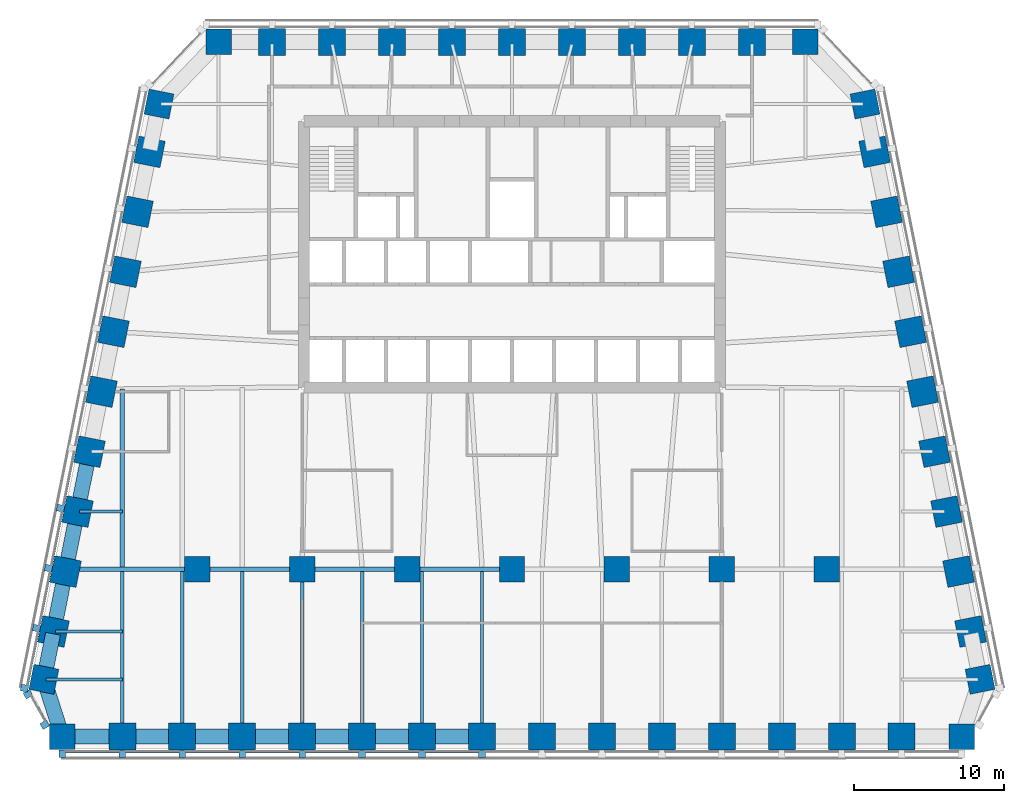
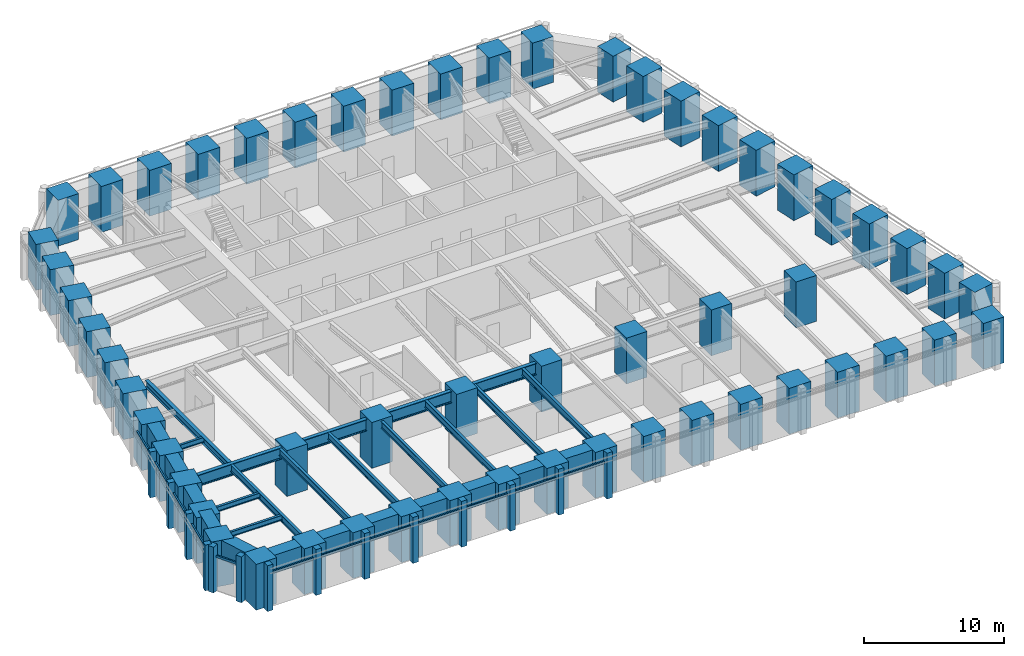
# One storey, part 1 of 9: 56 columns, 27 beams, 26 members, 3 elements without a shape of their own.
"""IFC4 building model written with IfcOpenShell, lengths in metres."""

from ifc_helpers import new_model, si_unit, direction, frame, origin, origin_2d, place, context, subcontext, project, spatial, rectangle, i_section, extrude, material, material_profile, profile_set, type_object, element, aggregate, save


model = new_model("IFC4")

# Units and contexts
model_context = context("Model", 3, precision=1e-05, world=origin(), true_north=direction((0.0, 1.0)))
body_context = subcontext(model_context, "Body", "Model", "MODEL_VIEW")
ifc_project = project(units=[si_unit("LENGTHUNIT", "METRE"), si_unit("AREAUNIT", "SQUARE_METRE"), si_unit("VOLUMEUNIT", "CUBIC_METRE"), si_unit("PLANEANGLEUNIT", "RADIAN"), si_unit("MASSUNIT", "GRAM", prefix="KILO")], contexts=[model_context])

# Site, building, storey
site_placement = place(None, origin())
site = spatial("IfcSite", under=ifc_project, at=site_placement, CompositionType="ELEMENT")
building_placement = place(site_placement, origin())
building = spatial("IfcBuilding", under=site, at=building_placement, Name="Isbrekke Arena Tower", CompositionType="ELEMENT")
storey_placement = place(building_placement, frame((0.0, 0.0, 135.0)))
storey = spatial("IfcBuildingStorey", under=building, at=storey_placement, Name="L30", CompositionType="ELEMENT", Elevation=135.0)

# Columns
ifc_material_1 = material(Name="Concrete B80 (C80/95)", Category="concrete")
ifc_material_profile_1 = material_profile(ifc_material_1, rectangle(XDim=1.699951171875, YDim=1.699951171875, at=origin_2d()), Name="RC 1700x1700")
ifc_profile_set_1 = profile_set([ifc_material_profile_1], Name="Concrete B80 (C80/95)")
column_type_1 = type_object("IfcColumnType", Name="C12 RC 1700 x 1700", PredefinedType="COLUMN", material=ifc_profile_set_1)
for number, where, z_axis, x_axis, name in (
    (1, (-21.0, -6.0, 0.0), (0.0, 0.0, 1.0), (1.0, 0.0, 0.0), "C12 I01"),
    (2, (-14.0, -6.0, 0.0), (0.0, 0.0, 1.0), (1.0, 0.0, 0.0), "C12 I02"),
    (3, (-7.0, -6.0, 0.0), (0.0, 0.0, 1.0), (1.0, 0.0, 0.0), "C12 I03"),
    (4, (0.0, -6.0, 0.0), (0.0, 0.0, 1.0), (1.0, 0.0, 0.0), "C12 I04"),
    (5, (7.0, -6.0, 0.0), (0.0, 0.0, 1.0), (1.0, 0.0, 0.0), "C12 I05"),
    (6, (14.0, -6.0, 0.0), (0.0, 0.0, 1.0), (1.0, 0.0, 0.0), "C12 I06"),
    (7, (21.0, -6.0, 0.0), (0.0, 0.0, 1.0), (1.0, 0.0, 0.0), "C12 I07"),
):
    element("IfcColumn", number, at=place(storey_placement, frame(where, z_axis=z_axis, x_axis=x_axis)), inside=storey, type_object=column_type_1, Name=name, PredefinedType="COLUMN", context=body_context, shape_type="SweptSolid", body=[
        extrude(rectangle(XDim=1.699951171875, YDim=1.699951171875, at=origin_2d()), origin(), (0.0, 0.0, 1.0), 4.0),
    ])
ifc_material_2 = material(Name="Concrete B80 (C80/95)", Category="concrete")
ifc_material_profile_2 = material_profile(ifc_material_2, rectangle(XDim=1.800048828125, YDim=1.800048828125, at=origin_2d()), Name="RC 1800x1800")
ifc_profile_set_2 = profile_set([ifc_material_profile_2], Name="Concrete B80 (C80/95)")
column_type_2 = type_object("IfcColumnType", Name="C3 RC 1800 x 1800", PredefinedType="COLUMN", material=ifc_profile_set_2)
for number, where, z_axis, x_axis, name in (
    (8, (-26.0, -17.175048828125, 0.0), (0.0, 0.0, 1.0), (1.0, 0.0, 0.0), "C3 S02"),
    (9, (-22.0, -17.175048828125, 0.0), (0.0, 0.0, 1.0), (1.0, 0.0, 0.0), "C3 S03"),
    (10, (-18.0, -17.175048828125, 0.0), (0.0, 0.0, 1.0), (1.0, 0.0, 0.0), "C3 S04"),
    (11, (-14.0, -17.175048828125, 0.0), (0.0, 0.0, 1.0), (1.0, 0.0, 0.0), "C3 S05"),
    (12, (-10.0, -17.175048828125, 0.0), (0.0, 0.0, 1.0), (1.0, 0.0, 0.0), "C3 S06"),
    (13, (-6.0, -17.175048828125, 0.0), (0.0, 0.0, 1.0), (1.0, 0.0, 0.0), "C3 S07"),
    (14, (-2.0, -17.175048828125, 0.0), (0.0, 0.0, 1.0), (1.0, 0.0, 0.0), "C3 S08"),
    (15, (2.0, -17.175048828125, 0.0), (0.0, 0.0, 1.0), (1.0, 0.0, 0.0), "C3 S09"),
    (16, (6.0, -17.175048828125, 0.0), (0.0, 0.0, 1.0), (1.0, 0.0, 0.0), "C3 S10"),
    (17, (10.0, -17.175048828125, 0.0), (0.0, 0.0, 1.0), (1.0, 0.0, 0.0), "C3 S11"),
    (18, (14.0, -17.175048828125, 0.0), (0.0, 0.0, 1.0), (1.0, 0.0, 0.0), "C3 S12"),
    (19, (18.0, -17.175048828125, 0.0), (0.0, 0.0, 1.0), (1.0, 0.0, 0.0), "C3 S13"),
    (20, (22.0, -17.175048828125, 0.0), (0.0, 0.0, 1.0), (1.0, 0.0, 0.0), "C3 S14"),
    (21, (26.0, -17.175048828125, 0.0), (0.0, 0.0, 1.0), (1.0, 0.0, 0.0), "C3 S15"),
    (22, (30.591064453125, -10.161865234375, 0.0), (0.0, 0.0, 1.0), (-0.196116135138, 0.980580675691, 0.0), "C3 E02"),
    (23, (29.791015625, -6.161865234375, 0.0), (0.0, 0.0, 1.0), (-0.196116135138, 0.980580675691, 0.0), "C3 E03"),
    (24, (28.990966796875, -2.161865234375, 0.0), (0.0, 0.0, 1.0), (-0.196116135138, 0.980580675691, 0.0), "C3 E04"),
    (25, (28.19091796875, 1.838134765625, 0.0), (0.0, 0.0, 1.0), (-0.196116135138, 0.980580675691, 0.0), "C3 E05"),
    (26, (27.39111328125, 5.838134765625, 0.0), (0.0, 0.0, 1.0), (-0.196116135138, 0.980580675691, 0.0), "C3 E06"),
    (27, (26.591064453125, 9.838134765625, 0.0), (0.0, 0.0, 1.0), (-0.196116135138, 0.980580675691, 0.0), "C3 E07"),
    (28, (25.791015625, 13.838134765625, 0.0), (0.0, 0.0, 1.0), (-0.196116135138, 0.980580675691, 0.0), "C3 E08"),
    (29, (24.990966796875, 17.838134765625, 0.0), (0.0, 0.0, 1.0), (-0.196116135138, 0.980580675691, 0.0), "C3 E09"),
    (30, (24.19091796875, 21.838134765625, 0.0), (0.0, 0.0, 1.0), (-0.196116135138, 0.980580675691, 0.0), "C3 E10"),
    (31, (16.0, 29.175048828125, 0.0), (0.0, 0.0, 1.0), (-1.0, 0.0, 0.0), "C3 N02"),
    (32, (12.0, 29.175048828125, 0.0), (0.0, 0.0, 1.0), (-1.0, 0.0, 0.0), "C3 N03"),
    (33, (8.0, 29.175048828125, 0.0), (0.0, 0.0, 1.0), (-1.0, 0.0, 0.0), "C3 N04"),
    (34, (4.0, 29.175048828125, 0.0), (0.0, 0.0, 1.0), (-1.0, 0.0, 0.0), "C3 N05"),
    (35, (0.0, 29.175048828125, 0.0), (0.0, 0.0, 1.0), (-1.0, 0.0, 0.0), "C3 N06"),
    (36, (-4.0, 29.175048828125, 0.0), (0.0, 0.0, 1.0), (-1.0, 0.0, 0.0), "C3 N07"),
    (37, (-8.0, 29.175048828125, 0.0), (0.0, 0.0, 1.0), (-1.0, 0.0, 0.0), "C3 N08"),
    (38, (-12.0, 29.175048828125, 0.0), (0.0, 0.0, 1.0), (-1.0, 0.0, 0.0), "C3 N09"),
    (39, (-16.0, 29.175048828125, 0.0), (0.0, 0.0, 1.0), (-1.0, 0.0, 0.0), "C3 N10"),
    (40, (-24.19091796875, 21.838134765625, 0.0), (0.0, 0.0, 1.0), (-0.196116135138, -0.980580675691, 0.0), "C3 W02"),
    (41, (-24.990966796875, 17.838134765625, 0.0), (0.0, 0.0, 1.0), (-0.196116135138, -0.980580675691, 0.0), "C3 W03"),
    (42, (-25.791015625, 13.838134765625, 0.0), (0.0, 0.0, 1.0), (-0.196116135138, -0.980580675691, 0.0), "C3 W04"),
    (43, (-26.591064453125, 9.838134765625, 0.0), (0.0, 0.0, 1.0), (-0.196116135138, -0.980580675691, 0.0), "C3 W05"),
    (44, (-27.39111328125, 5.838134765625, 0.0), (0.0, 0.0, 1.0), (-0.196116135138, -0.980580675691, 0.0), "C3 W06"),
    (45, (-28.19091796875, 1.838134765625, 0.0), (0.0, 0.0, 1.0), (-0.196116135138, -0.980580675691, 0.0), "C3 W07"),
    (46, (-28.990966796875, -2.161865234375, 0.0), (0.0, 0.0, 1.0), (-0.196116135138, -0.980580675691, 0.0), "C3 W08"),
    (47, (-29.791015625, -6.161865234375, 0.0), (0.0, 0.0, 1.0), (-0.196116135138, -0.980580675691, 0.0), "C3 W09"),
    (48, (-30.591064453125, -10.161865234375, 0.0), (0.0, 0.0, 1.0), (-0.196116135138, -0.980580675691, 0.0), "C3 W10"),
):
    element("IfcColumn", number, at=place(storey_placement, frame(where, z_axis=z_axis, x_axis=x_axis)), inside=storey, type_object=column_type_2, Name=name, PredefinedType="COLUMN", context=body_context, shape_type="SweptSolid", body=[
        extrude(rectangle(XDim=1.800048828125, YDim=1.800048828125, at=origin_2d()), origin(), (0.0, 0.0, 1.0), 4.0),
    ])
ifc_material_3 = material(Name="Concrete B80 (C80/95)", Category="concrete")
ifc_material_profile_3 = material_profile(ifc_material_3, rectangle(XDim=1.699951171875, YDim=1.699951171875, at=origin_2d()), Name="RC 1700x1700")
ifc_profile_set_3 = profile_set([ifc_material_profile_3], Name="Concrete B80 (C80/95)")
column_type_3 = type_object("IfcColumnType", Name="C7 RC 1700 x 1700", PredefinedType="COLUMN", material=ifc_profile_set_3)
for number, where, z_axis, x_axis, name in (
    (49, (-30.0, -17.175048828125, 0.0), (0.0, 0.0, 1.0), (1.0, 0.0, 0.0), "C7 S01"),
    (50, (30.0, -17.175048828125, 0.0), (0.0, 0.0, 1.0), (1.0, 0.0, 0.0), "C7 S16"),
    (51, (31.229248046875, -13.352783203125, 0.0), (0.0, 0.0, 1.0), (-0.196116135138, 0.980580675691, 0.0), "C7 E01"),
    (52, (23.552734375, 25.029296875, 0.0), (0.0, 0.0, 1.0), (-0.196116135138, 0.980580675691, 0.0), "C7 E11"),
    (53, (19.574951171875, 29.175048828125, 0.0), (0.0, 0.0, 1.0), (-1.0, 0.0, 0.0), "C7 N01"),
    (54, (-19.574951171875, 29.175048828125, 0.0), (0.0, 0.0, 1.0), (-1.0, 0.0, 0.0), "C7 N11"),
    (55, (-23.552734375, 25.029296875, 0.0), (0.0, 0.0, 1.0), (-0.196116135138, -0.980580675691, 0.0), "C7 W01"),
    (56, (-31.229248046875, -13.352783203125, 0.0), (0.0, 0.0, 1.0), (-0.196116135138, -0.980580675691, 0.0), "C7 W11"),
):
    element("IfcColumn", number, at=place(storey_placement, frame(where, z_axis=z_axis, x_axis=x_axis)), inside=storey, type_object=column_type_3, Name=name, PredefinedType="COLUMN", context=body_context, shape_type="SweptSolid", body=[
        extrude(rectangle(XDim=1.699951171875, YDim=1.699951171875, at=origin_2d()), origin(), (0.0, 0.0, 1.0), 4.0),
    ])

# Beams
ifc_material_4 = material(Name="Steel S355", Category="steel")
ifc_material_profile_4 = material_profile(ifc_material_4, i_section(OverallWidth=0.219970703125, OverallDepth=0.60009765625, WebThickness=0.011962890625, FlangeThickness=0.01904296875, FilletRadius=0.02392578125, at=origin_2d()), Name="IPE 600")
ifc_profile_set_4 = profile_set([ifc_material_profile_4], Name="Steel S355")
beam_type_1 = type_object("IfcBeamType", Name="B1 IPE 600", PredefinedType="BEAM", material=ifc_profile_set_4)
for number, where, z_axis, x_axis, name in (
    (57, (-26.0, -17.02490234375, 3.550048828125), (0.0, 1.0, 0.0), (-1.0, 0.0, 0.0), "B1 beam S-S02 L30"),
    (58, (-22.0, -17.02490234375, 3.550048828125), (0.0, 1.0, 0.0), (-1.0, 0.0, 0.0), "B1 beam S-S03 L30"),
    (59, (-18.0, -17.02490234375, 3.550048828125), (0.0, 1.0, 0.0), (-1.0, 0.0, 0.0), "B1 beam S-S04 L30"),
):
    element("IfcBeam", number, at=place(storey_placement, frame(where, z_axis=z_axis, x_axis=x_axis)), inside=storey, type_object=beam_type_1, Name=name, PredefinedType="BEAM", context=body_context, shape_type="SweptSolid", body=[
        extrude(i_section(OverallWidth=0.219970703125, OverallDepth=0.60009765625, WebThickness=0.011962890625, FlangeThickness=0.01904296875, FilletRadius=0.02392578125, at=origin_2d()), origin(), (0.0, 0.0, 1.0), 10.8740234375),
    ])
beam_1_placement = place(storey_placement, frame((-14.0, -17.02490234375, 3.550048828125), z_axis=(0.0, 1.0, 0.0), x_axis=(-1.0, 0.0, 0.0)))
element("IfcBeam", 60, at=beam_1_placement, inside=storey, type_object=beam_type_1, Name="B1 beam S-S05 L30", PredefinedType="BEAM", context=body_context, shape_type="SweptSolid", body=[
    extrude(i_section(OverallWidth=0.219970703125, OverallDepth=0.60009765625, WebThickness=0.011962890625, FlangeThickness=0.01904296875, FilletRadius=0.02392578125, at=origin_2d()), origin(), (0.0, 0.0, 1.0), 10.875),
])
for number, where, z_axis, x_axis, name in (
    (61, (-10.0, -17.02490234375, 3.550048828125), (0.0, 1.0, 0.0), (-1.0, 0.0, 0.0), "B1 beam S-S06 L30"),
    (62, (-6.0, -17.02490234375, 3.550048828125), (0.0, 1.0, 0.0), (-1.0, 0.0, 0.0), "B1 beam S-S07 L30"),
    (63, (-2.0, -17.02490234375, 3.550048828125), (0.0, 1.0, 0.0), (-1.0, 0.0, 0.0), "B1 beam S-S08 L30"),
):
    element("IfcBeam", number, at=place(storey_placement, frame(where, z_axis=z_axis, x_axis=x_axis)), inside=storey, type_object=beam_type_1, Name=name, PredefinedType="BEAM", context=body_context, shape_type="SweptSolid", body=[
        extrude(i_section(OverallWidth=0.219970703125, OverallDepth=0.60009765625, WebThickness=0.011962890625, FlangeThickness=0.01904296875, FilletRadius=0.02392578125, at=origin_2d()), origin(), (0.0, 0.0, 1.0), 10.8740234375),
    ])
ifc_material_5 = material(Name="Steel S355", Category="steel")
ifc_material_profile_5 = material_profile(ifc_material_5, i_section(OverallWidth=0.18994140625, OverallDepth=0.449951171875, WebThickness=0.009521484375, FlangeThickness=0.0146484375, FilletRadius=0.02099609375, at=origin_2d()), Name="IPE 450")
ifc_profile_set_5 = profile_set([ifc_material_profile_5], Name="Steel S355")
beam_type_2 = type_object("IfcBeamType", Name="B2 IPE 450", PredefinedType="BEAM", material=ifc_profile_set_5)
beam_2_placement = place(storey_placement, frame((-28.841064453125, -2.161865234375, 3.625), z_axis=(1.0, 0.0, 0.0), x_axis=(0.0, 1.0, 0.0)))
element("IfcBeam", 64, at=beam_2_placement, inside=storey, type_object=beam_type_2, Name="B2 beam E-W08 L30", PredefinedType="BEAM", context=body_context, shape_type="SweptSolid", body=[
    extrude(i_section(OverallWidth=0.18994140625, OverallDepth=0.449951171875, WebThickness=0.009521484375, FlangeThickness=0.0146484375, FilletRadius=0.02099609375, at=origin_2d()), origin(), (0.0, 0.0, 1.0), 2.841064453125),
])
beam_3_placement = place(storey_placement, frame((-30.44091796875, -10.161865234375, 3.625), z_axis=(1.0, 0.0, 0.0), x_axis=(0.0, 1.0, 0.0)))
element("IfcBeam", 65, at=beam_3_placement, inside=storey, type_object=beam_type_2, Name="B2 beam E-W10 L30", PredefinedType="BEAM", context=body_context, shape_type="SweptSolid", body=[
    extrude(i_section(OverallWidth=0.18994140625, OverallDepth=0.449951171875, WebThickness=0.009521484375, FlangeThickness=0.0146484375, FilletRadius=0.02099609375, at=origin_2d()), origin(), (0.0, 0.0, 1.0), 4.44091796875),
])
beam_4_placement = place(storey_placement, frame((-31.079345703125, -13.352783203125, 3.625), z_axis=(1.0, 0.0, 0.0), x_axis=(0.0, 1.0, 0.0)))
element("IfcBeam", 66, at=beam_4_placement, inside=storey, type_object=beam_type_2, Name="B2 beam E-W11 L30", PredefinedType="BEAM", context=body_context, shape_type="SweptSolid", body=[
    extrude(i_section(OverallWidth=0.18994140625, OverallDepth=0.449951171875, WebThickness=0.009521484375, FlangeThickness=0.0146484375, FilletRadius=0.02099609375, at=origin_2d()), origin(), (0.0, 0.0, 1.0), 5.079345703125),
])
ifc_material_6 = material(Name="Steel S355", Category="steel")
ifc_material_profile_6 = material_profile(ifc_material_6, i_section(OverallWidth=0.300048828125, OverallDepth=0.60009765625, WebThickness=0.015380859375, FlangeThickness=0.030029296875, FilletRadius=0.027099609375, at=origin_2d()), Name="HEB 600")
ifc_profile_set_6 = profile_set([ifc_material_profile_6], Name="Steel S355")
beam_type_3 = type_object("IfcBeamType", Name="B7 HEB 600", PredefinedType="BEAM", material=ifc_profile_set_6)
beam_5_placement = place(storey_placement, frame((-26.0, -5.84912109375, 3.550048828125), z_axis=(0.0, 1.0, 0.0), x_axis=(-1.0, 0.0, 0.0)))
element("IfcBeam", 67, at=beam_5_placement, inside=storey, type_object=beam_type_3, Name="B7 beam C-M01 L30", PredefinedType="BEAM", context=body_context, shape_type="SweptSolid", body=[
    extrude(i_section(OverallWidth=0.300048828125, OverallDepth=0.60009765625, WebThickness=0.015380859375, FlangeThickness=0.030029296875, FilletRadius=0.027099609375, at=origin_2d()), origin(), (0.0, 0.0, 1.0), 11.864990234375),
])

# Curtain wall, members
ifc_material_7 = material(Name="Glazed aluminium curtain wall", Category="aluminium")
curtain_wall_type = type_object("IfcCurtainWallType", Name="CWM TOWER CURTAIN WALL MID ZONE", PredefinedType="USERDEFINED", material=ifc_material_7)
curtain_wall_1_placement = place(storey_placement, origin())
curtain_wall_1 = element("IfcCurtainWall", 68, at=curtain_wall_1_placement, inside=storey, type_object=curtain_wall_type, Name="CWM curtain wall L30-S", ObjectType="TOWER CURTAIN WALL MID ZONE", PredefinedType="USERDEFINED")
ifc_material_8 = material(Name="Aluminium mullion, pale brick slip cladding", Category="masonry")
ifc_material_profile_7 = material_profile(ifc_material_8, rectangle(XDim=0.449951171875, YDim=0.5, at=origin_2d()), Name="PIER 450X500")
ifc_profile_set_7 = profile_set([ifc_material_profile_7], Name="Aluminium mullion, pale brick slip cladding")
member_type_1 = type_object("IfcMemberType", Name="CWM-M PIER MULLION 450 x 500", PredefinedType="MULLION", material=ifc_profile_set_7)
member_1_placement = place(storey_placement, frame((-30.0, -18.324951171875, 0.0), z_axis=(0.0, 0.0, 1.0), x_axis=(1.0, 0.0, 0.0)))
member_1 = element("IfcMember", 69, at=member_1_placement, type_object=member_type_1, Name="CWM-M mullion 1", PredefinedType="MULLION", context=body_context, shape_type="SweptSolid", body=[
    extrude(rectangle(XDim=0.449951171875, YDim=0.5, at=origin_2d()), origin(), (0.0, 0.0, 1.0), 4.0),
])
member_2_placement = place(storey_placement, frame((-26.0, -18.324951171875, 0.0), z_axis=(0.0, 0.0, 1.0), x_axis=(1.0, 0.0, 0.0)))
member_2 = element("IfcMember", 70, at=member_2_placement, type_object=member_type_1, Name="CWM-M mullion 2", PredefinedType="MULLION", context=body_context, shape_type="SweptSolid", body=[
    extrude(rectangle(XDim=0.449951171875, YDim=0.5, at=origin_2d()), origin(), (0.0, 0.0, 1.0), 4.0),
])
member_3_placement = place(storey_placement, frame((-22.0, -18.324951171875, 0.0), z_axis=(0.0, 0.0, 1.0), x_axis=(1.0, 0.0, 0.0)))
member_3 = element("IfcMember", 71, at=member_3_placement, type_object=member_type_1, Name="CWM-M mullion 3", PredefinedType="MULLION", context=body_context, shape_type="SweptSolid", body=[
    extrude(rectangle(XDim=0.449951171875, YDim=0.5, at=origin_2d()), origin(), (0.0, 0.0, 1.0), 4.0),
])
member_4_placement = place(storey_placement, frame((-18.0, -18.324951171875, 0.0), z_axis=(0.0, 0.0, 1.0), x_axis=(1.0, 0.0, 0.0)))
member_4 = element("IfcMember", 72, at=member_4_placement, type_object=member_type_1, Name="CWM-M mullion 4", PredefinedType="MULLION", context=body_context, shape_type="SweptSolid", body=[
    extrude(rectangle(XDim=0.449951171875, YDim=0.5, at=origin_2d()), origin(), (0.0, 0.0, 1.0), 4.0),
])
member_5_placement = place(storey_placement, frame((-14.0, -18.324951171875, 0.0), z_axis=(0.0, 0.0, 1.0), x_axis=(1.0, 0.0, 0.0)))
member_5 = element("IfcMember", 73, at=member_5_placement, type_object=member_type_1, Name="CWM-M mullion 5", PredefinedType="MULLION", context=body_context, shape_type="SweptSolid", body=[
    extrude(rectangle(XDim=0.449951171875, YDim=0.5, at=origin_2d()), origin(), (0.0, 0.0, 1.0), 4.0),
])
member_6_placement = place(storey_placement, frame((-10.0, -18.324951171875, 0.0), z_axis=(0.0, 0.0, 1.0), x_axis=(1.0, 0.0, 0.0)))
member_6 = element("IfcMember", 74, at=member_6_placement, type_object=member_type_1, Name="CWM-M mullion 6", PredefinedType="MULLION", context=body_context, shape_type="SweptSolid", body=[
    extrude(rectangle(XDim=0.449951171875, YDim=0.5, at=origin_2d()), origin(), (0.0, 0.0, 1.0), 4.0),
])
member_7_placement = place(storey_placement, frame((-6.0, -18.324951171875, 0.0), z_axis=(0.0, 0.0, 1.0), x_axis=(1.0, 0.0, 0.0)))
member_7 = element("IfcMember", 75, at=member_7_placement, type_object=member_type_1, Name="CWM-M mullion 7", PredefinedType="MULLION", context=body_context, shape_type="SweptSolid", body=[
    extrude(rectangle(XDim=0.449951171875, YDim=0.5, at=origin_2d()), origin(), (0.0, 0.0, 1.0), 4.0),
])
member_8_placement = place(storey_placement, frame((-2.0, -18.324951171875, 0.0), z_axis=(0.0, 0.0, 1.0), x_axis=(1.0, 0.0, 0.0)))
member_8 = element("IfcMember", 76, at=member_8_placement, type_object=member_type_1, Name="CWM-M mullion 8", PredefinedType="MULLION", context=body_context, shape_type="SweptSolid", body=[
    extrude(rectangle(XDim=0.449951171875, YDim=0.5, at=origin_2d()), origin(), (0.0, 0.0, 1.0), 4.0),
])

curtain_wall_2_placement = place(storey_placement, origin())
curtain_wall_2 = element("IfcCurtainWall", 77, at=curtain_wall_2_placement, inside=storey, type_object=curtain_wall_type, Name="CWM curtain wall L30-W", ObjectType="TOWER CURTAIN WALL MID ZONE", PredefinedType="USERDEFINED")
member_9_placement = place(storey_placement, frame((-30.11865234375, -1.936279296875, 0.0), z_axis=(0.0, 0.0, 1.0), x_axis=(-0.196116135138, -0.980580675691, 0.0)))
member_9 = element("IfcMember", 78, at=member_9_placement, type_object=member_type_1, Name="CWM-M mullion 8", PredefinedType="MULLION", context=body_context, shape_type="SweptSolid", body=[
    extrude(rectangle(XDim=0.449951171875, YDim=0.5, at=origin_2d()), origin(), (0.0, 0.0, 1.0), 4.0),
])
member_10_placement = place(storey_placement, frame((-30.918701171875, -5.936279296875, 0.0), z_axis=(0.0, 0.0, 1.0), x_axis=(-0.196116135138, -0.980580675691, 0.0)))
member_10 = element("IfcMember", 79, at=member_10_placement, type_object=member_type_1, Name="CWM-M mullion 9", PredefinedType="MULLION", context=body_context, shape_type="SweptSolid", body=[
    extrude(rectangle(XDim=0.449951171875, YDim=0.5, at=origin_2d()), origin(), (0.0, 0.0, 1.0), 4.0),
])
member_11_placement = place(storey_placement, frame((-31.71875, -9.936279296875, 0.0), z_axis=(0.0, 0.0, 1.0), x_axis=(-0.196116135138, -0.980580675691, 0.0)))
member_11 = element("IfcMember", 80, at=member_11_placement, type_object=member_type_1, Name="CWM-M mullion 10", PredefinedType="MULLION", context=body_context, shape_type="SweptSolid", body=[
    extrude(rectangle(XDim=0.449951171875, YDim=0.5, at=origin_2d()), origin(), (0.0, 0.0, 1.0), 4.0),
])
member_12_placement = place(storey_placement, frame((-32.518798828125, -13.936279296875, 0.0), z_axis=(0.0, 0.0, 1.0), x_axis=(-0.196116135138, -0.980580675691, 0.0)))
member_12 = element("IfcMember", 81, at=member_12_placement, type_object=member_type_1, Name="CWM-M mullion 11", PredefinedType="MULLION", context=body_context, shape_type="SweptSolid", body=[
    extrude(rectangle(XDim=0.449951171875, YDim=0.5, at=origin_2d()), origin(), (0.0, 0.0, 1.0), 4.0),
])

curtain_wall_3_placement = place(storey_placement, origin())
curtain_wall_3 = element("IfcCurtainWall", 82, at=curtain_wall_3_placement, inside=storey, type_object=curtain_wall_type, Name="CWM curtain wall L30-WS", ObjectType="TOWER CURTAIN WALL MID ZONE", PredefinedType="USERDEFINED")
member_13_placement = place(storey_placement, frame((-32.29638671875, -14.34326171875, 0.0), z_axis=(0.0, 0.0, 1.0), x_axis=(0.481918749773, -0.876215908676, 0.0)))
member_13 = element("IfcMember", 83, at=member_13_placement, type_object=member_type_1, Name="CWM-M mullion 1", PredefinedType="MULLION", context=body_context, shape_type="SweptSolid", body=[
    extrude(rectangle(XDim=0.449951171875, YDim=0.5, at=origin_2d()), origin(), (0.0, 0.0, 1.0), 4.0),
])
member_14_placement = place(storey_placement, frame((-31.174560546875, -16.38330078125, 0.0), z_axis=(0.0, 0.0, 1.0), x_axis=(0.481918749773, -0.876215908676, 0.0)))
member_14 = element("IfcMember", 84, at=member_14_placement, type_object=member_type_1, Name="CWM-M mullion 2", PredefinedType="MULLION", context=body_context, shape_type="SweptSolid", body=[
    extrude(rectangle(XDim=0.449951171875, YDim=0.5, at=origin_2d()), origin(), (0.0, 0.0, 1.0), 4.0),
])

# Member
ifc_material_9 = material(Name="Aluminium transom", Category="aluminium")
ifc_material_profile_8 = material_profile(ifc_material_9, rectangle(XDim=0.1201171875, YDim=0.199951171875, at=origin_2d()), Name="TRANSOM 120X200")
ifc_profile_set_8 = profile_set([ifc_material_profile_8], Name="Aluminium transom")
member_type_2 = type_object("IfcMemberType", Name="CWM-T TRANSOM 120 x 200", PredefinedType="USERDEFINED", material=ifc_profile_set_8)
member_15_placement = place(storey_placement, frame((-29.77490234375, -18.175048828125, 3.0), z_axis=(1.0, 0.0, 0.0), x_axis=(0.0, 1.0, 0.0)))
member_15 = element("IfcMember", 85, at=member_15_placement, type_object=member_type_2, Name="CWM-T transom 1", ObjectType="TRANSOM", PredefinedType="USERDEFINED", context=body_context, shape_type="SweptSolid", body=[
    extrude(rectangle(XDim=0.1201171875, YDim=0.199951171875, at=origin_2d()), origin(), (0.0, 0.0, 1.0), 3.5498046875),
])

member_16_placement = place(storey_placement, frame((-25.77490234375, -18.175048828125, 3.0), z_axis=(1.0, 0.0, 0.0), x_axis=(0.0, 1.0, 0.0)))
member_16 = element("IfcMember", 86, at=member_16_placement, type_object=member_type_2, Name="CWM-T transom 2", ObjectType="TRANSOM", PredefinedType="USERDEFINED", context=body_context, shape_type="SweptSolid", body=[
    extrude(rectangle(XDim=0.1201171875, YDim=0.199951171875, at=origin_2d()), origin(), (0.0, 0.0, 1.0), 3.5498046875),
])

member_17_placement = place(storey_placement, frame((-21.77490234375, -18.175048828125, 3.0), z_axis=(1.0, 0.0, 0.0), x_axis=(0.0, 1.0, 0.0)))
member_17 = element("IfcMember", 87, at=member_17_placement, type_object=member_type_2, Name="CWM-T transom 3", ObjectType="TRANSOM", PredefinedType="USERDEFINED", context=body_context, shape_type="SweptSolid", body=[
    extrude(rectangle(XDim=0.1201171875, YDim=0.199951171875, at=origin_2d()), origin(), (0.0, 0.0, 1.0), 3.5498046875),
])

member_18_placement = place(storey_placement, frame((-17.77490234375, -18.175048828125, 3.0), z_axis=(1.0, 0.0, 0.0), x_axis=(0.0, 1.0, 0.0)))
member_18 = element("IfcMember", 88, at=member_18_placement, type_object=member_type_2, Name="CWM-T transom 4", ObjectType="TRANSOM", PredefinedType="USERDEFINED", context=body_context, shape_type="SweptSolid", body=[
    extrude(rectangle(XDim=0.1201171875, YDim=0.199951171875, at=origin_2d()), origin(), (0.0, 0.0, 1.0), 3.5498046875),
])

member_19_placement = place(storey_placement, frame((-13.77490234375, -18.175048828125, 3.0), z_axis=(1.0, 0.0, 0.0), x_axis=(0.0, 1.0, 0.0)))
member_19 = element("IfcMember", 89, at=member_19_placement, type_object=member_type_2, Name="CWM-T transom 5", ObjectType="TRANSOM", PredefinedType="USERDEFINED", context=body_context, shape_type="SweptSolid", body=[
    extrude(rectangle(XDim=0.1201171875, YDim=0.199951171875, at=origin_2d()), origin(), (0.0, 0.0, 1.0), 3.5498046875),
])

member_20_placement = place(storey_placement, frame((-9.77490234375, -18.175048828125, 3.0), z_axis=(1.0, 0.0, 0.0), x_axis=(0.0, 1.0, 0.0)))
member_20 = element("IfcMember", 90, at=member_20_placement, type_object=member_type_2, Name="CWM-T transom 6", ObjectType="TRANSOM", PredefinedType="USERDEFINED", context=body_context, shape_type="SweptSolid", body=[
    extrude(rectangle(XDim=0.1201171875, YDim=0.199951171875, at=origin_2d()), origin(), (0.0, 0.0, 1.0), 3.5498046875),
])

member_21_placement = place(storey_placement, frame((-5.77490234375, -18.175048828125, 3.0), z_axis=(1.0, 0.0, 0.0), x_axis=(0.0, 1.0, 0.0)))
member_21 = element("IfcMember", 91, at=member_21_placement, type_object=member_type_2, Name="CWM-T transom 7", ObjectType="TRANSOM", PredefinedType="USERDEFINED", context=body_context, shape_type="SweptSolid", body=[
    extrude(rectangle(XDim=0.1201171875, YDim=0.199951171875, at=origin_2d()), origin(), (0.0, 0.0, 1.0), 3.5498046875),
])

aggregate(curtain_wall_1, [member_1, member_2, member_3, member_4, member_5, member_6, member_7, member_8, member_15, member_16, member_17, member_18, member_19, member_20, member_21])

member_22_placement = place(storey_placement, frame((-29.2158203125, 1.813720703125, 3.0), z_axis=(-0.196090262229, -0.980585849918, 0.0), x_axis=(0.980585849918, -0.196090262229, 0.0)))
member_22 = element("IfcMember", 92, at=member_22_placement, type_object=member_type_2, Name="CWM-T transom 7", ObjectType="TRANSOM", PredefinedType="USERDEFINED", context=body_context, shape_type="SweptSolid", body=[
    extrude(rectangle(XDim=0.1201171875, YDim=0.199951171875, at=origin_2d()), origin(), (0.0, 0.0, 1.0), 3.62939453125),
])

member_23_placement = place(storey_placement, frame((-30.015625, -2.186279296875, 3.0), z_axis=(-0.196154943734, -0.980572913173, 0.0), x_axis=(0.980572913173, -0.196154943734, 0.0)))
member_23 = element("IfcMember", 93, at=member_23_placement, type_object=member_type_2, Name="CWM-T transom 8", ObjectType="TRANSOM", PredefinedType="USERDEFINED", context=body_context, shape_type="SweptSolid", body=[
    extrude(rectangle(XDim=0.1201171875, YDim=0.199951171875, at=origin_2d()), origin(), (0.0, 0.0, 1.0), 3.62939453125),
])

member_24_placement = place(storey_placement, frame((-30.815673828125, -6.186279296875, 3.0), z_axis=(-0.196154943734, -0.980572913173, 0.0), x_axis=(0.980572913173, -0.196154943734, 0.0)))
member_24 = element("IfcMember", 94, at=member_24_placement, type_object=member_type_2, Name="CWM-T transom 9", ObjectType="TRANSOM", PredefinedType="USERDEFINED", context=body_context, shape_type="SweptSolid", body=[
    extrude(rectangle(XDim=0.1201171875, YDim=0.199951171875, at=origin_2d()), origin(), (0.0, 0.0, 1.0), 3.62939453125),
])

member_25_placement = place(storey_placement, frame((-31.61572265625, -10.186279296875, 3.0), z_axis=(-0.196090262229, -0.980585849918, 0.0), x_axis=(0.980585849918, -0.196090262229, 0.0)))
member_25 = element("IfcMember", 95, at=member_25_placement, type_object=member_type_2, Name="CWM-T transom 10", ObjectType="TRANSOM", PredefinedType="USERDEFINED", context=body_context, shape_type="SweptSolid", body=[
    extrude(rectangle(XDim=0.1201171875, YDim=0.199951171875, at=origin_2d()), origin(), (0.0, 0.0, 1.0), 3.62939453125),
])

aggregate(curtain_wall_2, [member_9, member_10, member_11, member_12, member_22, member_23, member_24, member_25])

member_26_placement = place(storey_placement, frame((-32.056640625, -14.46826171875, 3.0), z_axis=(0.481918749772, -0.876215908677, 0.0), x_axis=(0.876215908677, 0.481918749772, 0.0)))
member_26 = element("IfcMember", 96, at=member_26_placement, type_object=member_type_2, Name="CWM-T transom 1", ObjectType="TRANSOM", PredefinedType="USERDEFINED", context=body_context, shape_type="SweptSolid", body=[
    extrude(rectangle(XDim=0.1201171875, YDim=0.199951171875, at=origin_2d()), origin(), (0.0, 0.0, 1.0), 1.8779296875),
])

aggregate(curtain_wall_3, [member_13, member_14, member_26])

# Beams
ifc_material_10 = material(Name="Steel S355", Category="steel")
ifc_material_profile_9 = material_profile(ifc_material_10, i_section(OverallWidth=0.302001953125, OverallDepth=1.008056640625, WebThickness=0.02099609375, FlangeThickness=0.0400390625, FilletRadius=0.030029296875, at=origin_2d()), Name="HEM 1000")
ifc_profile_set_9 = profile_set([ifc_material_profile_9], Name="Steel S355")
beam_type_4 = type_object("IfcBeamType", Name="G1 HEM 1000", PredefinedType="BEAM", material=ifc_profile_set_9)
beam_6_placement = place(storey_placement, frame((-29.791015625, -6.0, 3.345947265625), z_axis=(1.0, 0.0, 0.0), x_axis=(0.0, 1.0, 0.0)))
element("IfcBeam", 97, at=beam_6_placement, inside=storey, type_object=beam_type_4, Name="G1 beam G1-01 L30", PredefinedType="BEAM", context=body_context, shape_type="SweptSolid", body=[
    extrude(i_section(OverallWidth=0.302001953125, OverallDepth=1.008056640625, WebThickness=0.02099609375, FlangeThickness=0.0400390625, FilletRadius=0.030029296875, at=origin_2d()), origin(), (0.0, 0.0, 1.0), 8.64111328125),
])
for number, where, z_axis, x_axis, name in (
    (98, (-20.85009765625, -6.0, 3.345947265625), (1.0, 0.0, 0.0), (0.0, 1.0, 0.0), "G1 beam G1-02 L30"),
    (99, (-13.85009765625, -6.0, 3.345947265625), (1.0, 0.0, 0.0), (0.0, 1.0, 0.0), "G1 beam G1-03 L30"),
    (100, (-6.85009765625, -6.0, 3.345947265625), (1.0, 0.0, 0.0), (0.0, 1.0, 0.0), "G1 beam G1-04 L30"),
):
    element("IfcBeam", number, at=place(storey_placement, frame(where, z_axis=z_axis, x_axis=x_axis)), inside=storey, type_object=beam_type_4, Name=name, PredefinedType="BEAM", context=body_context, shape_type="SweptSolid", body=[
        extrude(i_section(OverallWidth=0.302001953125, OverallDepth=1.008056640625, WebThickness=0.02099609375, FlangeThickness=0.0400390625, FilletRadius=0.030029296875, at=origin_2d()), origin(), (0.0, 0.0, 1.0), 6.7001953125),
    ])
ifc_material_11 = material(Name="Concrete B80 (C80/95)", Category="concrete")
ifc_material_profile_10 = material_profile(ifc_material_11, rectangle(XDim=1.0, YDim=1.60009765625, at=origin_2d()), Name="RC 1000x1600")
ifc_profile_set_10 = profile_set([ifc_material_profile_10], Name="Concrete B80 (C80/95)")
beam_type_5 = type_object("IfcBeamType", Name="SB2 RC 1000 x 1600", PredefinedType="SPANDREL", material=ifc_profile_set_10)
for number, where, z_axis, x_axis, name in (
    (101, (-29.85009765625, -17.175048828125, 3.199951171875), (1.0, 0.0, 0.0), (0.0, 1.0, 0.0), "SB2 spandrel S01-S02 L30"),
    (102, (-25.85009765625, -17.175048828125, 3.199951171875), (1.0, 0.0, 0.0), (0.0, 1.0, 0.0), "SB2 spandrel S02-S03 L30"),
    (103, (-21.85009765625, -17.175048828125, 3.199951171875), (1.0, 0.0, 0.0), (0.0, 1.0, 0.0), "SB2 spandrel S03-S04 L30"),
    (104, (-17.85009765625, -17.175048828125, 3.199951171875), (1.0, 0.0, 0.0), (0.0, 1.0, 0.0), "SB2 spandrel S04-S05 L30"),
    (105, (-13.85009765625, -17.175048828125, 3.199951171875), (1.0, 0.0, 0.0), (0.0, 1.0, 0.0), "SB2 spandrel S05-S06 L30"),
    (106, (-9.85009765625, -17.175048828125, 3.199951171875), (1.0, 0.0, 0.0), (0.0, 1.0, 0.0), "SB2 spandrel S06-S07 L30"),
    (107, (-5.85009765625, -17.175048828125, 3.199951171875), (1.0, 0.0, 0.0), (0.0, 1.0, 0.0), "SB2 spandrel S07-S08 L30"),
):
    element("IfcBeam", number, at=place(storey_placement, frame(where, z_axis=z_axis, x_axis=x_axis)), inside=storey, type_object=beam_type_5, Name=name, PredefinedType="SPANDREL", context=body_context, shape_type="SweptSolid", body=[
        extrude(rectangle(XDim=1.0, YDim=1.60009765625, at=origin_2d()), origin(), (0.0, 0.0, 1.0), 3.7001953125),
    ])
for number, where, z_axis, x_axis, name in (
    (108, (-28.220458984375, 1.691162109375, 3.199951171875), (-0.196128558387, -0.980578190959, 0.0), (0.980578190959, -0.196128558387, 0.0), "SB2 spandrel W07-W08 L30"),
    (109, (-29.0205078125, -2.308837890625, 3.199951171875), (-0.196128558387, -0.980578190959, 0.0), (0.980578190959, -0.196128558387, 0.0), "SB2 spandrel W08-W09 L30"),
):
    element("IfcBeam", number, at=place(storey_placement, frame(where, z_axis=z_axis, x_axis=x_axis)), inside=storey, type_object=beam_type_5, Name=name, PredefinedType="SPANDREL", context=body_context, shape_type="SweptSolid", body=[
        extrude(rectangle(XDim=1.0, YDim=1.60009765625, at=origin_2d()), origin(), (0.0, 0.0, 1.0), 3.779296875),
    ])
beam_7_placement = place(storey_placement, frame((-29.820556640625, -6.308837890625, 3.199951171875), z_axis=(-0.1960664412, -0.980590613169, 0.0), x_axis=(0.980590613169, -0.1960664412, 0.0)))
element("IfcBeam", 110, at=beam_7_placement, inside=storey, type_object=beam_type_5, Name="SB2 spandrel W09-W10 L30", PredefinedType="SPANDREL", context=body_context, shape_type="SweptSolid", body=[
    extrude(rectangle(XDim=1.0, YDim=1.60009765625, at=origin_2d()), origin(), (0.0, 0.0, 1.0), 3.779052734375),
])
beam_8_placement = place(storey_placement, frame((-30.620361328125, -10.308837890625, 3.199951171875), z_axis=(-0.196100243168, -0.980583853951, 0.0), x_axis=(0.980583853951, -0.196100243168, 0.0)))
element("IfcBeam", 111, at=beam_8_placement, inside=storey, type_object=beam_type_5, Name="SB2 spandrel W10-W11 L30", PredefinedType="SPANDREL", context=body_context, shape_type="SweptSolid", body=[
    extrude(rectangle(XDim=1.0, YDim=1.60009765625, at=origin_2d()), origin(), (0.0, 0.0, 1.0), 2.954345703125),
])
beam_9_placement = place(storey_placement, frame((-31.183349609375, -13.49560546875, 3.199951171875), z_axis=(0.306175101476, -0.951975213562, 0.0), x_axis=(0.951975213562, 0.306175101476, 0.0)))
element("IfcBeam", 112, at=beam_9_placement, inside=storey, type_object=beam_type_5, Name="SB2 spandrel W11-S01 L30", PredefinedType="SPANDREL", context=body_context, shape_type="SweptSolid", body=[
    extrude(rectangle(XDim=1.0, YDim=1.60009765625, at=origin_2d()), origin(), (0.0, 0.0, 1.0), 3.715087890625),
])

save(model, "model.ifc")
